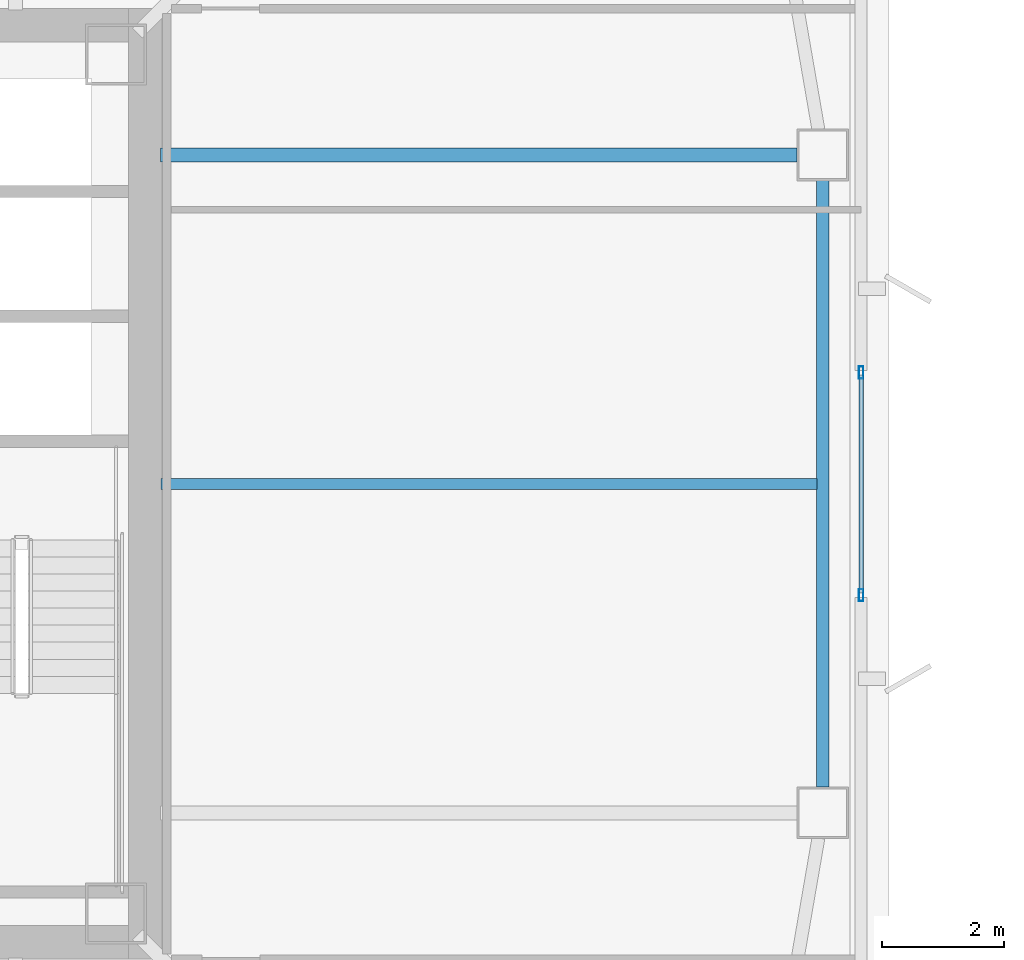
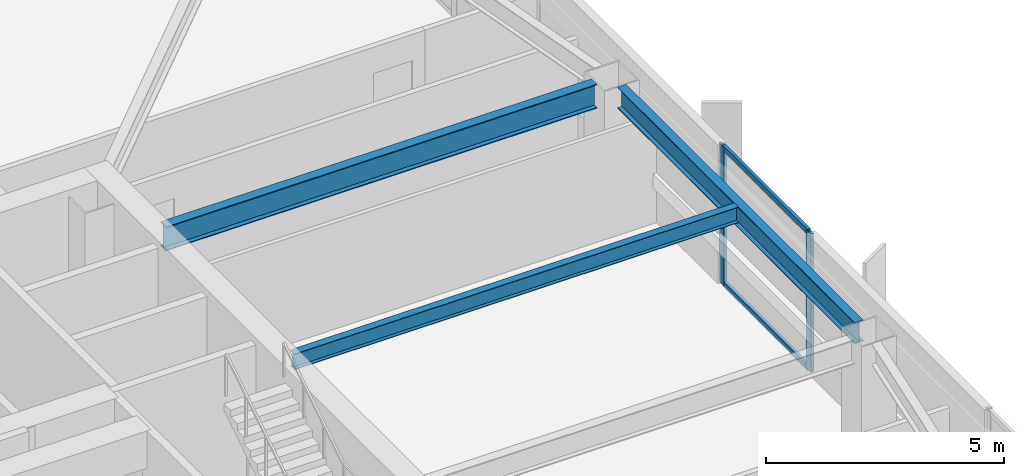
# One storey, part 11 of 48: 4 members, 3 beams, 1 element without a shape of its own.
"""IFC4 building model written with IfcOpenShell, lengths in metres."""

from ifc_helpers import new_model, si_unit, direction, frame, origin, origin_2d, place, context, subcontext, project, spatial, hollow_rectangle, i_section, extrude, material, material_profile, profile_set, type_object, element, aggregate, save


model = new_model("IFC4")

# Units and contexts
model_context = context("Model", 3, precision=1e-05, world=origin(), true_north=direction((0.0, 1.0)))
body_context = subcontext(model_context, "Body", "Model", "MODEL_VIEW")
ifc_project = project(units=[si_unit("LENGTHUNIT", "METRE"), si_unit("AREAUNIT", "SQUARE_METRE"), si_unit("VOLUMEUNIT", "CUBIC_METRE"), si_unit("PLANEANGLEUNIT", "RADIAN"), si_unit("MASSUNIT", "GRAM", prefix="KILO")], contexts=[model_context])

# Site, building, storey
site_placement = place(None, origin())
site = spatial("IfcSite", under=ifc_project, at=site_placement, CompositionType="ELEMENT")
building_placement = place(site_placement, origin())
building = spatial("IfcBuilding", under=site, at=building_placement, Name="Tashvorn Skyway Center", CompositionType="ELEMENT")
storey_placement = place(building_placement, frame((0.0, 0.0, 125.050048828125)))
storey = spatial("IfcBuildingStorey", under=building, at=storey_placement, Name="L33", CompositionType="ELEMENT", Elevation=125.050048828125)

# Beams
ifc_material_1 = material(Name="Steel ASTM A992 Grade 50", Category="steel")
ifc_material_profile_1 = material_profile(ifc_material_1, i_section(OverallWidth=0.22998046875, OverallDepth=0.616943359375, WebThickness=0.01318359375, FlangeThickness=0.022216796875, at=origin_2d()), Name="W24X94")
ifc_profile_set_1 = profile_set([ifc_material_profile_1], Name="Steel ASTM A992 Grade 50")
beam_type_1 = type_object("IfcBeamType", Name="BM-BEAM-W24X94", PredefinedType="BEAM", material=ifc_profile_set_1)
beam_1_placement = place(storey_placement, frame((60.22998046875, 37.39990234375, 3.0615234375), z_axis=(-1.0, 0.0, 0.0), x_axis=(0.0, -1.0, 0.0)))
element("IfcBeam", 1, at=beam_1_placement, inside=storey, type_object=beam_type_1, Name="Tower 1 L33 Primary Floor Girder FC-E2", PredefinedType="BEAM", context=body_context, shape_type="SweptSolid", body=[
    extrude(i_section(OverallWidth=0.22998046875, OverallDepth=0.616943359375, WebThickness=0.01318359375, FlangeThickness=0.022216796875, at=origin_2d()), origin(), (0.0, 0.0, 1.0), 10.449951171875),
])
ifc_material_profile_2 = material_profile(ifc_material_1, i_section(OverallWidth=0.177978515625, OverallDepth=0.406005859375, WebThickness=0.0078125, FlangeThickness=0.0126953125, at=origin_2d()), Name="W16X40")
ifc_profile_set_2 = profile_set([ifc_material_profile_2], Name="Steel ASTM A992 Grade 50")
beam_type_2 = type_object("IfcBeamType", Name="BM-JOIST-W16X40", PredefinedType="JOIST", material=ifc_profile_set_2)
beam_2_placement = place(storey_placement, frame((49.7900390625, 32.0, 3.1669921875), z_axis=(1.0, 0.0, 0.0), x_axis=(0.0, 1.0, 0.0)))
element("IfcBeam", 2, at=beam_2_placement, inside=storey, type_object=beam_type_2, Name="Tower 1 L33 Secondary Composite Joist JE", PredefinedType="JOIST", context=body_context, shape_type="SweptSolid", body=[
    extrude(i_section(OverallWidth=0.177978515625, OverallDepth=0.406005859375, WebThickness=0.0078125, FlangeThickness=0.0126953125, at=origin_2d()), origin(), (0.0, 0.0, 1.0), 10.762451171875),
])
ifc_material_profile_3 = material_profile(ifc_material_1, i_section(OverallWidth=0.2109375, OverallDepth=0.5390625, WebThickness=0.01171875, FlangeThickness=0.018798828125, at=origin_2d()), Name="W21X73")
ifc_profile_set_3 = profile_set([ifc_material_profile_3], Name="Steel ASTM A992 Grade 50")
beam_type_3 = type_object("IfcBeamType", Name="BM-SPANDREL-W21X73", PredefinedType="SPANDREL", material=ifc_profile_set_3)
beam_3_placement = place(storey_placement, frame((60.64990234375, 27.02001953125, 3.100341796875), z_axis=(0.0, 1.0, 0.0), x_axis=(-1.0, 0.0, 0.0)))
element("IfcBeam", 3, at=beam_3_placement, inside=storey, type_object=beam_type_3, Name="Tower 1 L33 Spandrel Beam 05", PredefinedType="SPANDREL", context=body_context, shape_type="SweptSolid", body=[
    extrude(i_section(OverallWidth=0.2109375, OverallDepth=0.5390625, WebThickness=0.01171875, FlangeThickness=0.018798828125, at=origin_2d()), origin(), (0.0, 0.0, 1.0), 9.9599609375),
])

# Curtain wall, members
ifc_material_2 = material(Name="Thermally broken bronze-anodized aluminium 6063-T6", Category="aluminium")
curtain_wall_type = type_object("IfcCurtainWallType", Name="CW-CW-Z3", PredefinedType="NOTDEFINED", material=ifc_material_2)
curtain_wall_placement = place(storey_placement, origin())
curtain_wall = element("IfcCurtainWall", 4, at=curtain_wall_placement, inside=storey, type_object=curtain_wall_type, Name="Tower 1 L33 East Unitised Curtain Wall Glazing Group 2", PredefinedType="NOTDEFINED")
ifc_material_profile_4 = material_profile(ifc_material_2, hollow_rectangle(XDim=0.074951171875, YDim=0.199951171875, WallThickness=0.00439453125, at=origin_2d()), Name="ALU-MULL-75x200")
ifc_profile_set_4 = profile_set([ifc_material_profile_4], Name="Thermally broken bronze-anodized aluminium 6063-T6")
member_type_1 = type_object("IfcMemberType", Name="CWM-CW-Z3", PredefinedType="MULLION", material=ifc_profile_set_4)
member_1_placement = place(storey_placement, frame((61.280029296875, 33.826904296875, 0.0), z_axis=(0.0, 0.0, 1.0), x_axis=(1.0, 0.0, 0.0)))
member_1 = element("IfcMember", 5, at=member_1_placement, type_object=member_type_1, Name="CW-Z3 mullion 1", PredefinedType="MULLION", context=body_context, shape_type="SweptSolid", body=[
    extrude(hollow_rectangle(XDim=0.074951171875, YDim=0.199951171875, WallThickness=0.00439453125, at=origin_2d()), origin(), (0.0, 0.0, 1.0), 3.550048828125),
])
member_2_placement = place(storey_placement, frame((61.280029296875, 30.173095703125, 0.0), z_axis=(0.0, 0.0, 1.0), x_axis=(1.0, 0.0, 0.0)))
member_2 = element("IfcMember", 6, at=member_2_placement, type_object=member_type_1, Name="CW-Z3 mullion 2", PredefinedType="MULLION", context=body_context, shape_type="SweptSolid", body=[
    extrude(hollow_rectangle(XDim=0.074951171875, YDim=0.199951171875, WallThickness=0.00439453125, at=origin_2d()), origin(), (0.0, 0.0, 1.0), 3.550048828125),
])
ifc_material_profile_5 = material_profile(ifc_material_2, hollow_rectangle(XDim=0.074951171875, YDim=0.139892578125, WallThickness=0.004150390625, at=origin_2d()), Name="ALU-TRAN-75x140")
ifc_profile_set_5 = profile_set([ifc_material_profile_5], Name="Thermally broken bronze-anodized aluminium 6063-T6")
member_type_2 = type_object("IfcMemberType", Name="CWT-CW-Z3", PredefinedType="USERDEFINED", material=ifc_profile_set_5)
member_3_placement = place(storey_placement, frame((61.280029296875, 33.789306640625, 0.037353515625), z_axis=(0.0, -1.0, 0.0), x_axis=(1.0, 0.0, 0.0)))
member_3 = element("IfcMember", 7, at=member_3_placement, type_object=member_type_2, Name="CW-Z3 transom 1.1", ObjectType="TRANSOM", PredefinedType="USERDEFINED", context=body_context, shape_type="SweptSolid", body=[
    extrude(hollow_rectangle(XDim=0.074951171875, YDim=0.139892578125, WallThickness=0.004150390625, at=origin_2d()), origin(), (0.0, 0.0, 1.0), 3.57861328125),
])
member_4_placement = place(storey_placement, frame((61.280029296875, 33.789306640625, 3.512451171875), z_axis=(0.0, -1.0, 0.0), x_axis=(1.0, 0.0, 0.0)))
member_4 = element("IfcMember", 8, at=member_4_placement, type_object=member_type_2, Name="CW-Z3 transom 1.2", ObjectType="TRANSOM", PredefinedType="USERDEFINED", context=body_context, shape_type="SweptSolid", body=[
    extrude(hollow_rectangle(XDim=0.074951171875, YDim=0.139892578125, WallThickness=0.004150390625, at=origin_2d()), origin(), (0.0, 0.0, 1.0), 3.57861328125),
])
aggregate(curtain_wall, [member_1, member_2, member_3, member_4])

save(model, "model.ifc")
